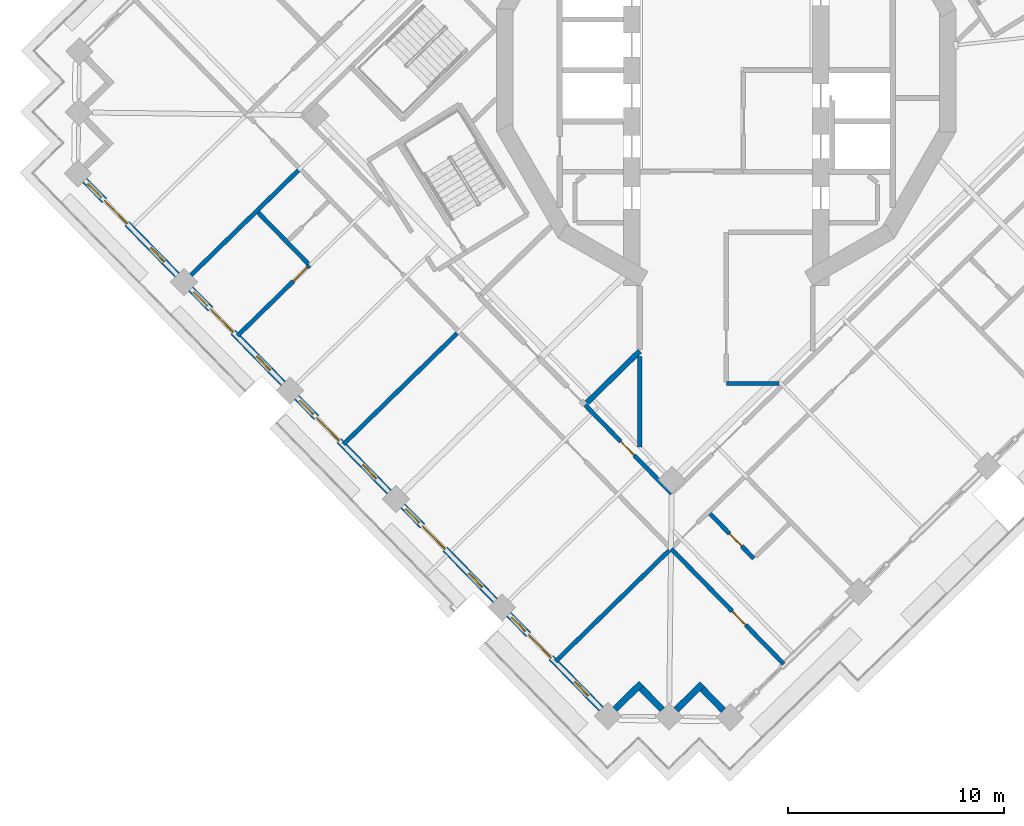
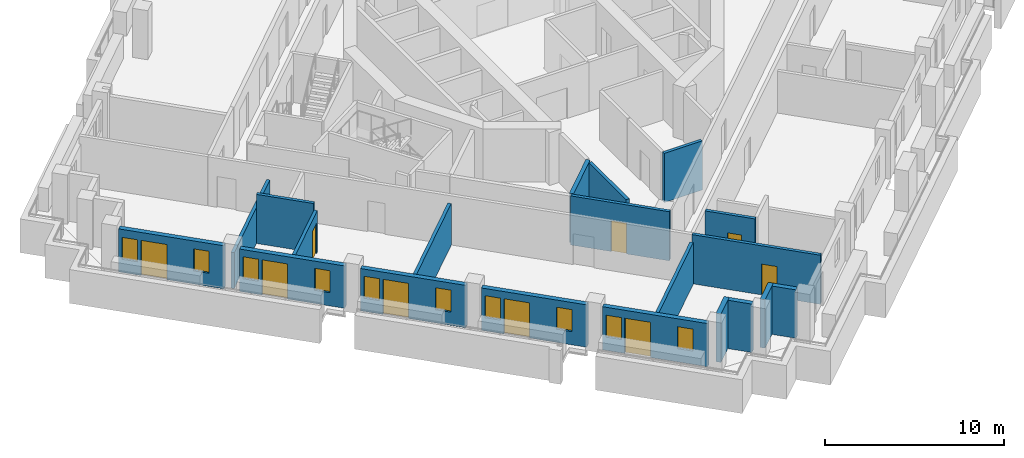
# One storey, part 4 of 17: 20 walls, 10 windows, 9 doors, 19 openings.
"""IFC4 building model written with IfcOpenShell, lengths in metres."""

from ifc_helpers import new_model, si_unit, direction, frame, frame_2d, origin, place, context, subcontext, project, spatial, rectangle, extrude, material, layer, layer_set, type_object, element, fill, save


model = new_model("IFC4")

# Units and contexts
model_context = context("Model", 3, precision=1e-05, world=origin(), true_north=direction((0.0, 1.0)))
body_context = subcontext(model_context, "Body", "Model", "MODEL_VIEW")
ifc_project = project(units=[si_unit("LENGTHUNIT", "METRE"), si_unit("AREAUNIT", "SQUARE_METRE"), si_unit("VOLUMEUNIT", "CUBIC_METRE"), si_unit("PLANEANGLEUNIT", "RADIAN"), si_unit("MASSUNIT", "GRAM", prefix="KILO")], contexts=[model_context])

# Site, building, storey
site_placement = place(None, origin())
site = spatial("IfcSite", under=ifc_project, at=site_placement, CompositionType="ELEMENT")
building_placement = place(site_placement, origin())
building = spatial("IfcBuilding", under=site, at=building_placement, Name="Cantera Rosa Tower", CompositionType="ELEMENT")
storey_placement = place(building_placement, frame((0.0, 0.0, 227.0)))
storey = spatial("IfcBuildingStorey", under=building, at=storey_placement, Name="L49", CompositionType="ELEMENT", Elevation=227.0)

# Wall, opening, door
ifc_material_1 = material(Name="Gypsum board partition")
ifc_layer_1 = layer(ifc_material_1, 0.199951171875)
ifc_layer_set_1 = layer_set([ifc_layer_1], Name="CORRIDOR WALL 200 H3350")
wall_type_1 = type_object("IfcWallType", Name="CORRIDOR WALL 200 H3350", PredefinedType="PARTITIONING", material=ifc_layer_set_1)
wall_1_placement = place(storey_placement, frame((-6.530517578125, -15.49560546875, 0.0), z_axis=(0.0, 0.0, 1.0), x_axis=(0.698835362026, -0.715282557303, 0.0)))
wall_1 = element("IfcWall", 1, at=wall_1_placement, inside=storey, type_object=wall_type_1, Name="CORRIDOR WALL L49-040", PredefinedType="PARTITIONING", context=body_context, shape_type="SweptSolid", body=[
    extrude(rectangle(XDim=5.729736328125, YDim=0.199951171875, at=frame_2d((2.86474609375, 0.0))), origin(), (0.0, 0.0, 1.0), 3.35009765625),
])
opening_1_placement = place(wall_1_placement, frame((2.351806640625, 0.0, 0.0)))
opening_1 = element("IfcOpeningElement", 2, at=opening_1_placement, cuts=wall_1, Name="Opening L49-011", PredefinedType="OPENING", context=body_context, shape_type="SweptSolid", body=[
    extrude(rectangle(XDim=0.89990234375, YDim=2.10009765625, at=frame_2d((0.449951171875, 1.050048828125))), frame((0.0, 0.10986328125, 0.0), z_axis=(0.0, -1.0, 0.0), x_axis=(1.0, 0.0, 0.0)), (0.0, 0.0, 1.0), 0.219970703125),
])
ifc_material_2 = material(Name="Timber door leaf", Category="wood")
door_type_1 = type_object("IfcDoorType", Name="SERVICE DOOR 900x2100", OperationType="NOTDEFINED", PredefinedType="DOOR", material=ifc_material_2)
door_1_placement = place(opening_1_placement, origin())
door_1 = element("IfcDoor", 3, at=door_1_placement, inside=storey, type_object=door_type_1, Name="DOOR L49-011", OperationType="NOTDEFINED", OverallHeight=2.10009765625, OverallWidth=0.89990234375, PredefinedType="DOOR", context=body_context, shape_type="SweptSolid", body=[
    extrude(rectangle(XDim=0.89990234375, YDim=2.10009765625, at=frame_2d((0.449951171875, 1.050048828125))), frame((0.0, 0.02490234375, 0.0), z_axis=(0.0, -1.0, 0.0), x_axis=(1.0, 0.0, 0.0)), (0.0, 0.0, 1.0), 0.050048828125),
])
fill(opening_1, door_1)

# Walls
wall_2_placement = place(storey_placement, frame((-4.0, -13.25537109375, 0.0), z_axis=(0.0, 0.0, 1.0), x_axis=(0.0, -1.0, 0.0)))
element("IfcWall", 4, at=wall_2_placement, inside=storey, type_object=wall_type_1, Name="CORRIDOR WALL L49-046", PredefinedType="PARTITIONING", context=body_context, shape_type="SweptSolid", body=[
    extrude(rectangle(XDim=4.1865234375, YDim=0.199951171875, at=frame_2d((2.09326171875, 0.0))), origin(), (0.0, 0.0, 1.0), 3.35009765625),
])
wall_3_placement = place(storey_placement, frame((0.0, -14.5, 0.0), z_axis=(0.0, 0.0, 1.0), x_axis=(1.0, 0.0, 0.0)))
element("IfcWall", 5, at=wall_3_placement, inside=storey, type_object=wall_type_1, Name="CORRIDOR WALL L49-056", PredefinedType="PARTITIONING", context=body_context, shape_type="SweptSolid", body=[
    extrude(rectangle(XDim=2.44775390625, YDim=0.199951171875, at=frame_2d((1.223876953125, 0.0))), origin(), (0.0, 0.0, 1.0), 3.35009765625),
])
ifc_material_3 = material(Name="Hollow clay masonry with cantera stone cladding", Category="masonry")
ifc_layer_2 = layer(ifc_material_3, 0.300048828125)
ifc_layer_set_2 = layer_set([ifc_layer_2], Name="EW-LOGGIA 300")
wall_type_2 = type_object("IfcWallType", Name="EW-LOGGIA 300", PredefinedType="SOLIDWALL", material=ifc_layer_set_2)
wall_4_placement = place(storey_placement, frame((-5.15283203125, -29.56982421875, 0.0), z_axis=(0.0, 0.0, 1.0), x_axis=(0.715316077832, 0.69880105094, 0.0)))
element("IfcWall", 6, at=wall_4_placement, inside=storey, type_object=wall_type_2, Name="EN-L49-W19a", PredefinedType="SOLIDWALL", context=body_context, shape_type="SweptSolid", body=[
    extrude(rectangle(XDim=1.699951171875, YDim=0.300048828125, at=frame_2d((0.85009765625, 0.0))), origin(), (0.0, 0.0, 1.0), 3.300048828125),
])
wall_5_placement = place(storey_placement, frame((-3.939208984375, -28.593994140625, 0.0), z_axis=(0.0, 0.0, 1.0), x_axis=(0.698861982187, -0.715256548278, 0.0)))
element("IfcWall", 7, at=wall_5_placement, inside=storey, type_object=wall_type_2, Name="EN-L49-W19b", PredefinedType="SOLIDWALL", context=body_context, shape_type="SweptSolid", body=[
    extrude(rectangle(XDim=1.39990234375, YDim=0.300048828125, at=frame_2d((0.699951171875, 0.0))), origin(), (0.0, 0.0, 1.0), 3.300048828125),
])
wall_6_placement = place(storey_placement, frame((-2.324462890625, -29.602783203125, 0.0), z_axis=(0.0, 0.0, 1.0), x_axis=(0.715316077832, 0.69880105094, 0.0)))
element("IfcWall", 8, at=wall_6_placement, inside=storey, type_object=wall_type_2, Name="EN-L49-W20a", PredefinedType="SOLIDWALL", context=body_context, shape_type="SweptSolid", body=[
    extrude(rectangle(XDim=1.699951171875, YDim=0.300048828125, at=frame_2d((0.85009765625, 0.0))), origin(), (0.0, 0.0, 1.0), 3.300048828125),
])
wall_7_placement = place(storey_placement, frame((-1.111083984375, -28.626953125, 0.0), z_axis=(0.0, 0.0, 1.0), x_axis=(0.698951192766, -0.71516937164, 0.0)))
element("IfcWall", 9, at=wall_7_placement, inside=storey, type_object=wall_type_2, Name="EN-L49-W20b", PredefinedType="SOLIDWALL", context=body_context, shape_type="SweptSolid", body=[
    extrude(rectangle(XDim=1.39990234375, YDim=0.300048828125, at=frame_2d((0.699951171875, 0.0))), origin(), (0.0, 0.0, 1.0), 3.300048828125),
])

# Wall, openings, windows, door
ifc_material_4 = material(Name="Hollow clay masonry with cantera stone cladding", Category="masonry")
ifc_layer_3 = layer(ifc_material_4, 0.300048828125)
ifc_layer_set_3 = layer_set([ifc_layer_3], Name="EW-LOGGIA 300 H2890")
wall_type_3 = type_object("IfcWallType", Name="EW-LOGGIA 300 H2890", PredefinedType="SOLIDWALL", material=ifc_layer_set_3)
wall_8_placement = place(storey_placement, frame((-24.783203125, -10.120849609375, 0.0), z_axis=(0.0, 0.0, 1.0), x_axis=(0.698800768177, -0.715316354067, 0.0)))
wall_8 = element("IfcWall", 10, at=wall_8_placement, inside=storey, type_object=wall_type_3, Name="EN-L49-W15", PredefinedType="SOLIDWALL", context=body_context, shape_type="SweptSolid", body=[
    extrude(rectangle(XDim=6.119873046875, YDim=0.300048828125, at=frame_2d((3.06005859375, 0.0))), origin(), (0.0, 0.0, 1.0), 2.889892578125),
])
opening_2_placement = place(wall_8_placement, frame((0.199951171875, 0.0, 0.89990234375)))
opening_2 = element("IfcOpeningElement", 11, at=opening_2_placement, cuts=wall_8, Name="Opening L49-W25", PredefinedType="OPENING", context=body_context, shape_type="SweptSolid", body=[
    extrude(rectangle(XDim=0.89990234375, YDim=1.5, at=frame_2d((0.449951171875, 0.75))), frame((0.0, 0.159912109375, 0.0), z_axis=(0.0, -1.0, 0.0), x_axis=(1.0, 0.0, 0.0)), (0.0, 0.0, 1.0), 0.320068359375),
])
opening_3_placement = place(wall_8_placement, frame((1.300048828125, 0.0, 0.0)))
opening_3 = element("IfcOpeningElement", 12, at=opening_3_placement, cuts=wall_8, Name="Opening L49-TD26", PredefinedType="OPENING", context=body_context, shape_type="SweptSolid", body=[
    extrude(rectangle(XDim=1.5, YDim=2.39990234375, at=frame_2d((0.75, 1.199951171875))), frame((0.0, 0.159912109375, 0.0), z_axis=(0.0, -1.0, 0.0), x_axis=(1.0, 0.0, 0.0)), (0.0, 0.0, 1.0), 0.320068359375),
])
opening_4_placement = place(wall_8_placement, frame((4.364990234375, 0.0, 0.89990234375)))
opening_4 = element("IfcOpeningElement", 13, at=opening_4_placement, cuts=wall_8, Name="Opening L49-W27", PredefinedType="OPENING", context=body_context, shape_type="SweptSolid", body=[
    extrude(rectangle(XDim=0.89990234375, YDim=1.5, at=frame_2d((0.449951171875, 0.75))), frame((0.0, 0.159912109375, 0.0), z_axis=(0.0, -1.0, 0.0), x_axis=(1.0, 0.0, 0.0)), (0.0, 0.0, 1.0), 0.320068359375),
])
ifc_material_5 = material(Name="Aluminium frame with clear glass", Category="aluminium")
window_type = type_object("IfcWindowType", Name="Residential window 900x1500", PartitioningType="SINGLE_PANEL", PredefinedType="WINDOW", material=ifc_material_5)
window_1_placement = place(opening_2_placement, origin())
window_1 = element("IfcWindow", 14, at=window_1_placement, inside=storey, type_object=window_type, Name="WINDOW L49-W25", OverallHeight=1.5, OverallWidth=0.89990234375, PartitioningType="SINGLE_PANEL", PredefinedType="WINDOW", context=body_context, shape_type="SweptSolid", body=[
    extrude(rectangle(XDim=0.89990234375, YDim=1.5, at=frame_2d((0.449951171875, 0.75))), frame((0.0, 0.030029296875, 0.0), z_axis=(0.0, -1.0, 0.0), x_axis=(1.0, 0.0, 0.0)), (0.0, 0.0, 1.0), 0.06005859375),
])
fill(opening_2, window_1)
window_2_placement = place(opening_4_placement, origin())
window_2 = element("IfcWindow", 15, at=window_2_placement, inside=storey, type_object=window_type, Name="WINDOW L49-W27", OverallHeight=1.5, OverallWidth=0.89990234375, PartitioningType="SINGLE_PANEL", PredefinedType="WINDOW", context=body_context, shape_type="SweptSolid", body=[
    extrude(rectangle(XDim=0.89990234375, YDim=1.5, at=frame_2d((0.449951171875, 0.75))), frame((0.0, 0.030029296875, 0.0), z_axis=(0.0, -1.0, 0.0), x_axis=(1.0, 0.0, 0.0)), (0.0, 0.0, 1.0), 0.06005859375),
])
fill(opening_4, window_2)
ifc_material_6 = material(Name="Aluminium frame with clear glass", Category="aluminium")
door_type_2 = type_object("IfcDoorType", Name="TD-R 1500x2400", OperationType="NOTDEFINED", PredefinedType="DOOR", material=ifc_material_6)
door_2_placement = place(opening_3_placement, origin())
door_2 = element("IfcDoor", 16, at=door_2_placement, inside=storey, type_object=door_type_2, Name="LOGGIA DOOR L49-TD26", OperationType="SLIDING_TO_LEFT", OverallHeight=2.39990234375, OverallWidth=1.5, PredefinedType="DOOR", context=body_context, shape_type="SweptSolid", body=[
    extrude(rectangle(XDim=1.5, YDim=2.39990234375, at=frame_2d((0.75, 1.199951171875))), frame((0.0, 0.02490234375, 0.0), z_axis=(0.0, -1.0, 0.0), x_axis=(1.0, 0.0, 0.0)), (0.0, 0.0, 1.0), 0.050048828125),
])
fill(opening_3, door_2)

wall_9_placement = place(storey_placement, frame((-19.87744140625, -15.142333984375, 0.0), z_axis=(0.0, 0.0, 1.0), x_axis=(0.698841120217, -0.71527693147, 0.0)))
wall_9 = element("IfcWall", 17, at=wall_9_placement, inside=storey, type_object=wall_type_3, Name="EN-L49-W16", PredefinedType="SOLIDWALL", context=body_context, shape_type="SweptSolid", body=[
    extrude(rectangle(XDim=6.119873046875, YDim=0.300048828125, at=frame_2d((3.06005859375, 0.0))), origin(), (0.0, 0.0, 1.0), 2.889892578125),
])
opening_5_placement = place(wall_9_placement, frame((0.199951171875, 0.0, 0.89990234375)))
opening_5 = element("IfcOpeningElement", 18, at=opening_5_placement, cuts=wall_9, Name="Opening L49-W28", PredefinedType="OPENING", context=body_context, shape_type="SweptSolid", body=[
    extrude(rectangle(XDim=0.89990234375, YDim=1.5, at=frame_2d((0.449951171875, 0.75))), frame((0.0, 0.159912109375, 0.0), z_axis=(0.0, -1.0, 0.0), x_axis=(1.0, 0.0, 0.0)), (0.0, 0.0, 1.0), 0.320068359375),
])
opening_6_placement = place(wall_9_placement, frame((1.300048828125, 0.0, 0.0)))
opening_6 = element("IfcOpeningElement", 19, at=opening_6_placement, cuts=wall_9, Name="Opening L49-TD29", PredefinedType="OPENING", context=body_context, shape_type="SweptSolid", body=[
    extrude(rectangle(XDim=1.5, YDim=2.39990234375, at=frame_2d((0.75, 1.199951171875))), frame((0.0, 0.159912109375, 0.0), z_axis=(0.0, -1.0, 0.0), x_axis=(1.0, 0.0, 0.0)), (0.0, 0.0, 1.0), 0.320068359375),
])
opening_7_placement = place(wall_9_placement, frame((4.364990234375, 0.0, 0.89990234375)))
opening_7 = element("IfcOpeningElement", 20, at=opening_7_placement, cuts=wall_9, Name="Opening L49-W30", PredefinedType="OPENING", context=body_context, shape_type="SweptSolid", body=[
    extrude(rectangle(XDim=0.89990234375, YDim=1.5, at=frame_2d((0.449951171875, 0.75))), frame((0.0, 0.159912109375, 0.0), z_axis=(0.0, -1.0, 0.0), x_axis=(1.0, 0.0, 0.0)), (0.0, 0.0, 1.0), 0.320068359375),
])
window_3_placement = place(opening_5_placement, origin())
window_3 = element("IfcWindow", 21, at=window_3_placement, inside=storey, type_object=window_type, Name="WINDOW L49-W28", OverallHeight=1.5, OverallWidth=0.89990234375, PartitioningType="SINGLE_PANEL", PredefinedType="WINDOW", context=body_context, shape_type="SweptSolid", body=[
    extrude(rectangle(XDim=0.89990234375, YDim=1.5, at=frame_2d((0.449951171875, 0.75))), frame((0.0, 0.030029296875, 0.0), z_axis=(0.0, -1.0, 0.0), x_axis=(1.0, 0.0, 0.0)), (0.0, 0.0, 1.0), 0.06005859375),
])
fill(opening_5, window_3)
window_4_placement = place(opening_7_placement, origin())
window_4 = element("IfcWindow", 22, at=window_4_placement, inside=storey, type_object=window_type, Name="WINDOW L49-W30", OverallHeight=1.5, OverallWidth=0.89990234375, PartitioningType="SINGLE_PANEL", PredefinedType="WINDOW", context=body_context, shape_type="SweptSolid", body=[
    extrude(rectangle(XDim=0.89990234375, YDim=1.5, at=frame_2d((0.449951171875, 0.75))), frame((0.0, 0.030029296875, 0.0), z_axis=(0.0, -1.0, 0.0), x_axis=(1.0, 0.0, 0.0)), (0.0, 0.0, 1.0), 0.06005859375),
])
fill(opening_7, window_4)
door_3_placement = place(opening_6_placement, origin())
door_3 = element("IfcDoor", 23, at=door_3_placement, inside=storey, type_object=door_type_2, Name="LOGGIA DOOR L49-TD29", OperationType="SLIDING_TO_LEFT", OverallHeight=2.39990234375, OverallWidth=1.5, PredefinedType="DOOR", context=body_context, shape_type="SweptSolid", body=[
    extrude(rectangle(XDim=1.5, YDim=2.39990234375, at=frame_2d((0.75, 1.199951171875))), frame((0.0, 0.02490234375, 0.0), z_axis=(0.0, -1.0, 0.0), x_axis=(1.0, 0.0, 0.0)), (0.0, 0.0, 1.0), 0.050048828125),
])
fill(opening_6, door_3)

wall_10_placement = place(storey_placement, frame((-14.9716796875, -20.16357421875, 0.0), z_axis=(0.0, 0.0, 1.0), x_axis=(0.698841120217, -0.71527693147, 0.0)))
wall_10 = element("IfcWall", 24, at=wall_10_placement, inside=storey, type_object=wall_type_3, Name="EN-L49-W17", PredefinedType="SOLIDWALL", context=body_context, shape_type="SweptSolid", body=[
    extrude(rectangle(XDim=6.119873046875, YDim=0.300048828125, at=frame_2d((3.06005859375, 0.0))), origin(), (0.0, 0.0, 1.0), 2.889892578125),
])
opening_8_placement = place(wall_10_placement, frame((0.199951171875, 0.0, 0.89990234375)))
opening_8 = element("IfcOpeningElement", 25, at=opening_8_placement, cuts=wall_10, Name="Opening L49-W31", PredefinedType="OPENING", context=body_context, shape_type="SweptSolid", body=[
    extrude(rectangle(XDim=0.89990234375, YDim=1.5, at=frame_2d((0.449951171875, 0.75))), frame((0.0, 0.159912109375, 0.0), z_axis=(0.0, -1.0, 0.0), x_axis=(1.0, 0.0, 0.0)), (0.0, 0.0, 1.0), 0.320068359375),
])
opening_9_placement = place(wall_10_placement, frame((1.300048828125, 0.0, 0.0)))
opening_9 = element("IfcOpeningElement", 26, at=opening_9_placement, cuts=wall_10, Name="Opening L49-TD32", PredefinedType="OPENING", context=body_context, shape_type="SweptSolid", body=[
    extrude(rectangle(XDim=1.5, YDim=2.39990234375, at=frame_2d((0.75, 1.199951171875))), frame((0.0, 0.159912109375, 0.0), z_axis=(0.0, -1.0, 0.0), x_axis=(1.0, 0.0, 0.0)), (0.0, 0.0, 1.0), 0.320068359375),
])
opening_10_placement = place(wall_10_placement, frame((4.364990234375, 0.0, 0.89990234375)))
opening_10 = element("IfcOpeningElement", 27, at=opening_10_placement, cuts=wall_10, Name="Opening L49-W33", PredefinedType="OPENING", context=body_context, shape_type="SweptSolid", body=[
    extrude(rectangle(XDim=0.89990234375, YDim=1.5, at=frame_2d((0.449951171875, 0.75))), frame((0.0, 0.159912109375, 0.0), z_axis=(0.0, -1.0, 0.0), x_axis=(1.0, 0.0, 0.0)), (0.0, 0.0, 1.0), 0.320068359375),
])
window_5_placement = place(opening_8_placement, origin())
window_5 = element("IfcWindow", 28, at=window_5_placement, inside=storey, type_object=window_type, Name="WINDOW L49-W31", OverallHeight=1.5, OverallWidth=0.89990234375, PartitioningType="SINGLE_PANEL", PredefinedType="WINDOW", context=body_context, shape_type="SweptSolid", body=[
    extrude(rectangle(XDim=0.89990234375, YDim=1.5, at=frame_2d((0.449951171875, 0.75))), frame((0.0, 0.030029296875, 0.0), z_axis=(0.0, -1.0, 0.0), x_axis=(1.0, 0.0, 0.0)), (0.0, 0.0, 1.0), 0.06005859375),
])
fill(opening_8, window_5)
window_6_placement = place(opening_10_placement, origin())
window_6 = element("IfcWindow", 29, at=window_6_placement, inside=storey, type_object=window_type, Name="WINDOW L49-W33", OverallHeight=1.5, OverallWidth=0.89990234375, PartitioningType="SINGLE_PANEL", PredefinedType="WINDOW", context=body_context, shape_type="SweptSolid", body=[
    extrude(rectangle(XDim=0.89990234375, YDim=1.5, at=frame_2d((0.449951171875, 0.75))), frame((0.0, 0.030029296875, 0.0), z_axis=(0.0, -1.0, 0.0), x_axis=(1.0, 0.0, 0.0)), (0.0, 0.0, 1.0), 0.06005859375),
])
fill(opening_10, window_6)
door_4_placement = place(opening_9_placement, origin())
door_4 = element("IfcDoor", 30, at=door_4_placement, inside=storey, type_object=door_type_2, Name="LOGGIA DOOR L49-TD32", OperationType="SLIDING_TO_LEFT", OverallHeight=2.39990234375, OverallWidth=1.5, PredefinedType="DOOR", context=body_context, shape_type="SweptSolid", body=[
    extrude(rectangle(XDim=1.5, YDim=2.39990234375, at=frame_2d((0.75, 1.199951171875))), frame((0.0, 0.02490234375, 0.0), z_axis=(0.0, -1.0, 0.0), x_axis=(1.0, 0.0, 0.0)), (0.0, 0.0, 1.0), 0.050048828125),
])
fill(opening_9, door_4)

ifc_material_7 = material(Name="Hollow clay masonry with cantera stone cladding", Category="masonry")
ifc_layer_4 = layer(ifc_material_7, 0.300048828125)
ifc_layer_set_4 = layer_set([ifc_layer_4], Name="EW-LOGGIA 300 H2940")
wall_type_4 = type_object("IfcWallType", Name="EW-LOGGIA 300 H2940", PredefinedType="SOLIDWALL", material=ifc_layer_set_4)
wall_11_placement = place(storey_placement, frame((-29.689208984375, -5.099609375, 0.0), z_axis=(0.0, 0.0, 1.0), x_axis=(0.69882117953, -0.715296413412, 0.0)))
wall_11 = element("IfcWall", 31, at=wall_11_placement, inside=storey, type_object=wall_type_4, Name="EN-L49-W14", PredefinedType="SOLIDWALL", context=body_context, shape_type="SweptSolid", body=[
    extrude(rectangle(XDim=6.1201171875, YDim=0.300048828125, at=frame_2d((3.06005859375, 0.0))), origin(), (0.0, 0.0, 1.0), 2.93994140625),
])
opening_11_placement = place(wall_11_placement, frame((0.199951171875, 0.0, 0.89990234375)))
opening_11 = element("IfcOpeningElement", 32, at=opening_11_placement, cuts=wall_11, Name="Opening L49-W22", PredefinedType="OPENING", context=body_context, shape_type="SweptSolid", body=[
    extrude(rectangle(XDim=0.89990234375, YDim=1.5, at=frame_2d((0.449951171875, 0.75))), frame((0.0, 0.159912109375, 0.0), z_axis=(0.0, -1.0, 0.0), x_axis=(1.0, 0.0, 0.0)), (0.0, 0.0, 1.0), 0.320068359375),
])
opening_12_placement = place(wall_11_placement, frame((1.300048828125, 0.0, 0.0)))
opening_12 = element("IfcOpeningElement", 33, at=opening_12_placement, cuts=wall_11, Name="Opening L49-TD23", PredefinedType="OPENING", context=body_context, shape_type="SweptSolid", body=[
    extrude(rectangle(XDim=1.5, YDim=2.39990234375, at=frame_2d((0.75, 1.199951171875))), frame((0.0, 0.159912109375, 0.0), z_axis=(0.0, -1.0, 0.0), x_axis=(1.0, 0.0, 0.0)), (0.0, 0.0, 1.0), 0.320068359375),
])
opening_13_placement = place(wall_11_placement, frame((4.364990234375, 0.0, 0.89990234375)))
opening_13 = element("IfcOpeningElement", 34, at=opening_13_placement, cuts=wall_11, Name="Opening L49-W24", PredefinedType="OPENING", context=body_context, shape_type="SweptSolid", body=[
    extrude(rectangle(XDim=0.89990234375, YDim=1.5, at=frame_2d((0.449951171875, 0.75))), frame((0.0, 0.159912109375, 0.0), z_axis=(0.0, -1.0, 0.0), x_axis=(1.0, 0.0, 0.0)), (0.0, 0.0, 1.0), 0.320068359375),
])
window_7_placement = place(opening_11_placement, origin())
window_7 = element("IfcWindow", 35, at=window_7_placement, inside=storey, type_object=window_type, Name="WINDOW L49-W22", OverallHeight=1.5, OverallWidth=0.89990234375, PartitioningType="SINGLE_PANEL", PredefinedType="WINDOW", context=body_context, shape_type="SweptSolid", body=[
    extrude(rectangle(XDim=0.89990234375, YDim=1.5, at=frame_2d((0.449951171875, 0.75))), frame((0.0, 0.030029296875, 0.0), z_axis=(0.0, -1.0, 0.0), x_axis=(1.0, 0.0, 0.0)), (0.0, 0.0, 1.0), 0.06005859375),
])
fill(opening_11, window_7)
window_8_placement = place(opening_13_placement, origin())
window_8 = element("IfcWindow", 36, at=window_8_placement, inside=storey, type_object=window_type, Name="WINDOW L49-W24", OverallHeight=1.5, OverallWidth=0.89990234375, PartitioningType="SINGLE_PANEL", PredefinedType="WINDOW", context=body_context, shape_type="SweptSolid", body=[
    extrude(rectangle(XDim=0.89990234375, YDim=1.5, at=frame_2d((0.449951171875, 0.75))), frame((0.0, 0.030029296875, 0.0), z_axis=(0.0, -1.0, 0.0), x_axis=(1.0, 0.0, 0.0)), (0.0, 0.0, 1.0), 0.06005859375),
])
fill(opening_13, window_8)
door_5_placement = place(opening_12_placement, origin())
door_5 = element("IfcDoor", 37, at=door_5_placement, inside=storey, type_object=door_type_2, Name="LOGGIA DOOR L49-TD23", OperationType="SLIDING_TO_LEFT", OverallHeight=2.39990234375, OverallWidth=1.5, PredefinedType="DOOR", context=body_context, shape_type="SweptSolid", body=[
    extrude(rectangle(XDim=1.5, YDim=2.39990234375, at=frame_2d((0.75, 1.199951171875))), frame((0.0, 0.02490234375, 0.0), z_axis=(0.0, -1.0, 0.0), x_axis=(1.0, 0.0, 0.0)), (0.0, 0.0, 1.0), 0.050048828125),
])
fill(opening_12, door_5)

wall_12_placement = place(storey_placement, frame((-10.06591796875, -25.184814453125, 0.0), z_axis=(0.0, 0.0, 1.0), x_axis=(0.69882117953, -0.715296413412, 0.0)))
wall_12 = element("IfcWall", 38, at=wall_12_placement, inside=storey, type_object=wall_type_4, Name="EN-L49-W18", PredefinedType="SOLIDWALL", context=body_context, shape_type="SweptSolid", body=[
    extrude(rectangle(XDim=6.1201171875, YDim=0.300048828125, at=frame_2d((3.06005859375, 0.0))), origin(), (0.0, 0.0, 1.0), 2.93994140625),
])
opening_14_placement = place(wall_12_placement, frame((0.199951171875, 0.0, 0.89990234375)))
opening_14 = element("IfcOpeningElement", 39, at=opening_14_placement, cuts=wall_12, Name="Opening L49-W34", PredefinedType="OPENING", context=body_context, shape_type="SweptSolid", body=[
    extrude(rectangle(XDim=0.89990234375, YDim=1.5, at=frame_2d((0.449951171875, 0.75))), frame((0.0, 0.159912109375, 0.0), z_axis=(0.0, -1.0, 0.0), x_axis=(1.0, 0.0, 0.0)), (0.0, 0.0, 1.0), 0.320068359375),
])
opening_15_placement = place(wall_12_placement, frame((1.300048828125, 0.0, 0.0)))
opening_15 = element("IfcOpeningElement", 40, at=opening_15_placement, cuts=wall_12, Name="Opening L49-TD35", PredefinedType="OPENING", context=body_context, shape_type="SweptSolid", body=[
    extrude(rectangle(XDim=1.5, YDim=2.39990234375, at=frame_2d((0.75, 1.199951171875))), frame((0.0, 0.159912109375, 0.0), z_axis=(0.0, -1.0, 0.0), x_axis=(1.0, 0.0, 0.0)), (0.0, 0.0, 1.0), 0.320068359375),
])
opening_16_placement = place(wall_12_placement, frame((4.364990234375, 0.0, 0.89990234375)))
opening_16 = element("IfcOpeningElement", 41, at=opening_16_placement, cuts=wall_12, Name="Opening L49-W36", PredefinedType="OPENING", context=body_context, shape_type="SweptSolid", body=[
    extrude(rectangle(XDim=0.89990234375, YDim=1.5, at=frame_2d((0.449951171875, 0.75))), frame((0.0, 0.159912109375, 0.0), z_axis=(0.0, -1.0, 0.0), x_axis=(1.0, 0.0, 0.0)), (0.0, 0.0, 1.0), 0.320068359375),
])
window_9_placement = place(opening_14_placement, origin())
window_9 = element("IfcWindow", 42, at=window_9_placement, inside=storey, type_object=window_type, Name="WINDOW L49-W34", OverallHeight=1.5, OverallWidth=0.89990234375, PartitioningType="SINGLE_PANEL", PredefinedType="WINDOW", context=body_context, shape_type="SweptSolid", body=[
    extrude(rectangle(XDim=0.89990234375, YDim=1.5, at=frame_2d((0.449951171875, 0.75))), frame((0.0, 0.030029296875, 0.0), z_axis=(0.0, -1.0, 0.0), x_axis=(1.0, 0.0, 0.0)), (0.0, 0.0, 1.0), 0.06005859375),
])
fill(opening_14, window_9)
window_10_placement = place(opening_16_placement, origin())
window_10 = element("IfcWindow", 43, at=window_10_placement, inside=storey, type_object=window_type, Name="WINDOW L49-W36", OverallHeight=1.5, OverallWidth=0.89990234375, PartitioningType="SINGLE_PANEL", PredefinedType="WINDOW", context=body_context, shape_type="SweptSolid", body=[
    extrude(rectangle(XDim=0.89990234375, YDim=1.5, at=frame_2d((0.449951171875, 0.75))), frame((0.0, 0.030029296875, 0.0), z_axis=(0.0, -1.0, 0.0), x_axis=(1.0, 0.0, 0.0)), (0.0, 0.0, 1.0), 0.06005859375),
])
fill(opening_16, window_10)
door_6_placement = place(opening_15_placement, origin())
door_6 = element("IfcDoor", 44, at=door_6_placement, inside=storey, type_object=door_type_2, Name="LOGGIA DOOR L49-TD35", OperationType="SLIDING_TO_LEFT", OverallHeight=2.39990234375, OverallWidth=1.5, PredefinedType="DOOR", context=body_context, shape_type="SweptSolid", body=[
    extrude(rectangle(XDim=1.5, YDim=2.39990234375, at=frame_2d((0.75, 1.199951171875))), frame((0.0, 0.02490234375, 0.0), z_axis=(0.0, -1.0, 0.0), x_axis=(1.0, 0.0, 0.0)), (0.0, 0.0, 1.0), 0.050048828125),
])
fill(opening_15, door_6)

# Wall, opening, door
ifc_material_8 = material(Name="Gypsum board partition")
ifc_layer_5 = layer(ifc_material_8, 0.199951171875)
ifc_layer_set_5 = layer_set([ifc_layer_5], Name="PARTITION 200 H2850")
wall_type_5 = type_object("IfcWallType", Name="PARTITION 200 H2850", PredefinedType="PARTITIONING", material=ifc_layer_set_5)
wall_13_placement = place(storey_placement, frame((-19.283203125, -9.025146484375, 0.0), z_axis=(0.0, 0.0, 1.0), x_axis=(-0.715241248144, -0.698877640903, 0.0)))
wall_13 = element("IfcWall", 45, at=wall_13_placement, inside=storey, type_object=wall_type_5, Name="PARTITION L49-006", PredefinedType="PARTITIONING", context=body_context, shape_type="SweptSolid", body=[
    extrude(rectangle(XDim=4.669921875, YDim=0.199951171875, at=frame_2d((2.3349609375, 0.0))), origin(), (0.0, 0.0, 1.0), 2.85009765625),
])
opening_17_placement = place(wall_13_placement, frame((0.14990234375, 0.0, 0.0)))
opening_17 = element("IfcOpeningElement", 46, at=opening_17_placement, cuts=wall_13, Name="Opening L49-041", PredefinedType="OPENING", context=body_context, shape_type="SweptSolid", body=[
    extrude(rectangle(XDim=0.89990234375, YDim=2.10009765625, at=frame_2d((0.449951171875, 1.050048828125))), frame((0.0, 0.10986328125, 0.0), z_axis=(0.0, -1.0, 0.0), x_axis=(1.0, 0.0, 0.0)), (0.0, 0.0, 1.0), 0.219970703125),
])
ifc_material_9 = material(Name="Timber door leaf", Category="wood")
door_type_3 = type_object("IfcDoorType", Name="ROOM DOOR 900x2100", OperationType="NOTDEFINED", PredefinedType="DOOR", material=ifc_material_9)
door_7_placement = place(opening_17_placement, origin())
door_7 = element("IfcDoor", 47, at=door_7_placement, inside=storey, type_object=door_type_3, Name="DOOR L49-041", OperationType="NOTDEFINED", OverallHeight=2.10009765625, OverallWidth=0.89990234375, PredefinedType="DOOR", context=body_context, shape_type="SweptSolid", body=[
    extrude(rectangle(XDim=0.89990234375, YDim=2.10009765625, at=frame_2d((0.449951171875, 1.050048828125))), frame((0.0, 0.02490234375, 0.0), z_axis=(0.0, -1.0, 0.0), x_axis=(1.0, 0.0, 0.0)), (0.0, 0.0, 1.0), 0.050048828125),
])
fill(opening_17, door_7)

# Wall
ifc_material_10 = material(Name="Gypsum board partition")
ifc_layer_6 = layer(ifc_material_10, 0.199951171875)
ifc_layer_set_6 = layer_set([ifc_layer_6], Name="PARTITION 200 H3350")
wall_type_6 = type_object("IfcWallType", Name="PARTITION 200 H3350", PredefinedType="PARTITIONING", material=ifc_layer_set_6)
wall_14_placement = place(storey_placement, frame((-19.352783203125, -8.95361328125, 0.0), z_axis=(0.0, 0.0, 1.0), x_axis=(-0.698872066816, 0.715246694661, 0.0)))
element("IfcWall", 48, at=wall_14_placement, inside=storey, type_object=wall_type_6, Name="PARTITION L49-007", PredefinedType="PARTITIONING", context=body_context, shape_type="SweptSolid", body=[
    extrude(rectangle(XDim=3.31005859375, YDim=0.199951171875, at=frame_2d((1.655029296875, 0.0))), origin(), (0.0, 0.0, 1.0), 3.35009765625),
])

# Wall, opening, door
wall_15_placement = place(storey_placement, frame((-2.5419921875, -22.15380859375, 0.0), z_axis=(0.0, 0.0, 1.0), x_axis=(0.698833512296, -0.715284364496, 0.0)))
wall_15 = element("IfcWall", 49, at=wall_15_placement, inside=storey, type_object=wall_type_6, Name="PARTITION L49-053", PredefinedType="PARTITIONING", context=body_context, shape_type="SweptSolid", body=[
    extrude(rectangle(XDim=7.449951171875, YDim=0.199951171875, at=frame_2d((3.72509765625, 0.0))), origin(), (0.0, 0.0, 1.0), 3.35009765625),
])
opening_18_placement = place(wall_15_placement, frame((4.030029296875, 0.0, 0.0)))
opening_18 = element("IfcOpeningElement", 50, at=opening_18_placement, cuts=wall_15, Name="Opening L49-049", PredefinedType="OPENING", context=body_context, shape_type="SweptSolid", body=[
    extrude(rectangle(XDim=0.89990234375, YDim=2.10009765625, at=frame_2d((0.449951171875, 1.050048828125))), frame((0.0, 0.10986328125, 0.0), z_axis=(0.0, -1.0, 0.0), x_axis=(1.0, 0.0, 0.0)), (0.0, 0.0, 1.0), 0.219970703125),
])
door_8_placement = place(opening_18_placement, origin())
door_8 = element("IfcDoor", 51, at=door_8_placement, inside=storey, type_object=door_type_3, Name="DOOR L49-049", OperationType="NOTDEFINED", OverallHeight=2.10009765625, OverallWidth=0.89990234375, PredefinedType="DOOR", context=body_context, shape_type="SweptSolid", body=[
    extrude(rectangle(XDim=0.89990234375, YDim=2.10009765625, at=frame_2d((0.449951171875, 1.050048828125))), frame((0.0, 0.02490234375, 0.0), z_axis=(0.0, -1.0, 0.0), x_axis=(1.0, 0.0, 0.0)), (0.0, 0.0, 1.0), 0.050048828125),
])
fill(opening_18, door_8)

wall_16_placement = place(storey_placement, frame((1.271484375, -22.59423828125, 0.0), z_axis=(0.0, 0.0, 1.0), x_axis=(-0.698807658641, 0.715309622628, 0.0)))
wall_16 = element("IfcWall", 52, at=wall_16_placement, inside=storey, type_object=wall_type_6, Name="PARTITION L49-065", PredefinedType="PARTITIONING", context=body_context, shape_type="SweptSolid", body=[
    extrude(rectangle(XDim=2.899658203125, YDim=0.199951171875, at=frame_2d((1.44970703125, 0.0))), origin(), (0.0, 0.0, 1.0), 3.35009765625),
])
opening_19_placement = place(wall_16_placement, frame((0.800048828125, 0.0, 0.0)))
opening_19 = element("IfcOpeningElement", 53, at=opening_19_placement, cuts=wall_16, Name="Opening L49-048", PredefinedType="OPENING", context=body_context, shape_type="SweptSolid", body=[
    extrude(rectangle(XDim=0.800048828125, YDim=2.10009765625, at=frame_2d((0.39990234375, 1.050048828125))), frame((0.0, 0.10986328125, 0.0), z_axis=(0.0, -1.0, 0.0), x_axis=(1.0, 0.0, 0.0)), (0.0, 0.0, 1.0), 0.219970703125),
])
ifc_material_11 = material(Name="Timber door leaf", Category="wood")
door_type_4 = type_object("IfcDoorType", Name="BATHROOM DOOR 800x2100", OperationType="NOTDEFINED", PredefinedType="DOOR", material=ifc_material_11)
door_9_placement = place(opening_19_placement, origin())
door_9 = element("IfcDoor", 54, at=door_9_placement, inside=storey, type_object=door_type_4, Name="DOOR L49-048", OperationType="NOTDEFINED", OverallHeight=2.10009765625, OverallWidth=0.800048828125, PredefinedType="DOOR", context=body_context, shape_type="SweptSolid", body=[
    extrude(rectangle(XDim=0.800048828125, YDim=2.10009765625, at=frame_2d((0.39990234375, 1.050048828125))), frame((0.0, 0.02490234375, 0.0), z_axis=(0.0, -1.0, 0.0), x_axis=(1.0, 0.0, 0.0)), (0.0, 0.0, 1.0), 0.050048828125),
])
fill(opening_19, door_9)

# Walls
ifc_material_12 = material(Name="Gypsum board partition")
ifc_layer_7 = layer(ifc_material_12, 0.199951171875)
ifc_layer_set_7 = layer_set([ifc_layer_7], Name="PARTY WALL 200 H2450")
wall_type_7 = type_object("IfcWallType", Name="PARTY WALL 200 H2450", PredefinedType="PARTITIONING", material=ifc_layer_set_7)
wall_17_placement = place(storey_placement, frame((-25.076416015625, -9.778076171875, 0.0), z_axis=(0.0, 0.0, 1.0), x_axis=(0.715290686101, 0.698827041819, 0.0)))
element("IfcWall", 55, at=wall_17_placement, inside=storey, type_object=wall_type_7, Name="PARTY WALL L49-001", PredefinedType="PARTITIONING", context=body_context, shape_type="SweptSolid", body=[
    extrude(rectangle(XDim=7.3701171875, YDim=0.199951171875, at=frame_2d((3.68505859375, 0.0))), origin(), (0.0, 0.0, 1.0), 2.449951171875),
])
ifc_material_13 = material(Name="Gypsum board partition")
ifc_layer_8 = layer(ifc_material_13, 0.199951171875)
ifc_layer_set_8 = layer_set([ifc_layer_8], Name="PARTY WALL 200 H2850")
wall_type_8 = type_object("IfcWallType", Name="PARTY WALL 200 H2850", PredefinedType="PARTITIONING", material=ifc_layer_set_8)
for number, where, z_axis, x_axis, name in (
    (56, (-12.460205078125, -12.173583984375, 0.0), (0.0, 0.0, 1.0), (-0.715280026246, -0.698837952642, 0.0), "PARTY WALL L49-018"),
    (57, (-7.899169921875, -27.35986328125, 0.0), (0.0, 0.0, 1.0), (0.715296247667, 0.698821349183, 0.0), "PARTY WALL L49-028"),
):
    element("IfcWall", number, at=place(storey_placement, frame(where, z_axis=z_axis, x_axis=x_axis)), inside=storey, type_object=wall_type_8, Name=name, PredefinedType="PARTITIONING", context=body_context, shape_type="SweptSolid", body=[
        extrude(rectangle(XDim=7.35009765625, YDim=0.199951171875, at=frame_2d((3.675048828125, 0.0))), origin(), (0.0, 0.0, 1.0), 2.85009765625),
    ])
ifc_material_14 = material(Name="Masonry blockwork", Category="masonry")
ifc_layer_9 = layer(ifc_material_14, 0.25)
ifc_layer_set_9 = layer_set([ifc_layer_9], Name="SHAFT WALL 250 H3350")
wall_type_9 = type_object("IfcWallType", Name="SHAFT WALL 250 H3350", PredefinedType="SOLIDWALL", material=ifc_layer_set_9)
wall_18_placement = place(storey_placement, frame((-4.0, -12.995361328125, 0.0), z_axis=(0.0, 0.0, 1.0), x_axis=(-0.715310564212, -0.698806694822, 0.0)))
element("IfcWall", 58, at=wall_18_placement, inside=storey, type_object=wall_type_9, Name="SHAFT WALL L49-045", PredefinedType="SOLIDWALL", context=body_context, shape_type="SweptSolid", body=[
    extrude(rectangle(XDim=3.417236328125, YDim=0.25, at=frame_2d((1.70849609375, 0.0))), origin(), (0.0, 0.0, 1.0), 3.35009765625),
])

save(model, "model.ifc")
